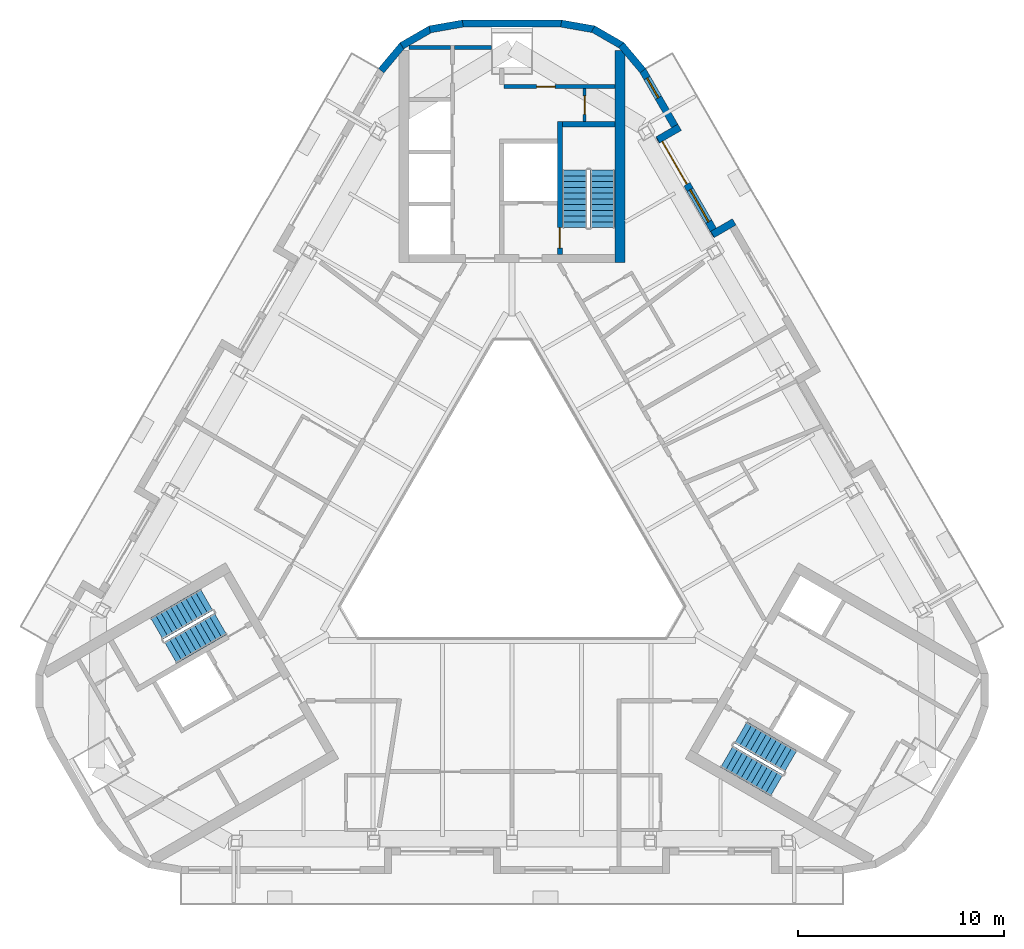
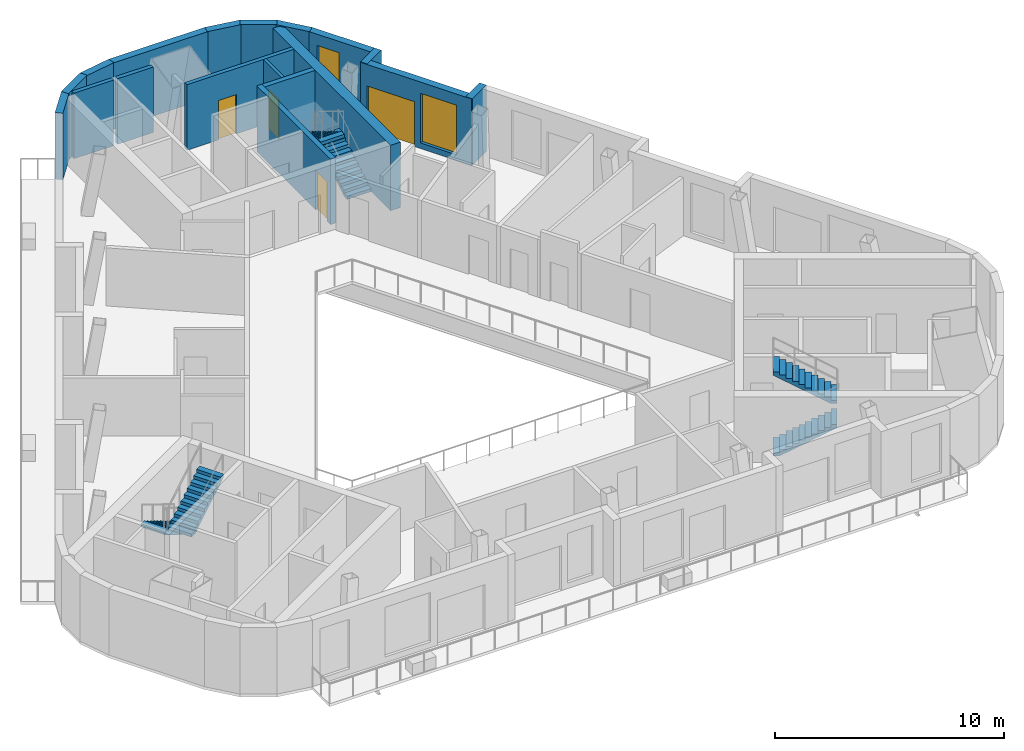
# One storey, part 7 of 11: 18 walls, 6 stair flights, 4 doors, 2 windows, 6 openings, 3 elements without a shape of their own.
"""IFC4 building model written with IfcOpenShell, lengths in metres."""

import ifcopenshell
import ifcopenshell.guid

model = None  # the IFC model being written
_history = None  # IfcOwnerHistory: only IFC2X3 demands one
_inside = {}  # id of a spatial element -> (the spatial element, [elements in it])
_under = {}  # id of a project, library or spatial element -> (it, [spatial elements below it])
_declared = {}  # id of a project -> (the project, [libraries it declares])
_typed = {}  # id of a type object -> (the type object, [elements of that type])
_made_of = {}  # id of a material, layer set ... -> (it, [elements and type objects made of it])


def new_model(schema):
    """Start an empty IFC model of exactly this schema.

    Asked for "IFC4X3", IfcOpenShell would pick the latest addendum, in which some entities
    have other attributes; the version numbers below select the first issue.
    IFC2X3 requires an IfcOwnerHistory on every rooted entity: one is made here for all.
    """
    global model, _history
    if schema == "IFC4X3":
        model = ifcopenshell.file(schema_version=(4, 3, 0, 0))
    else:
        model = ifcopenshell.file(schema=schema)
    _inside.clear()
    _under.clear()
    _declared.clear()
    _typed.clear()
    _made_of.clear()
    _history = None
    if model.schema == "IFC2X3":
        org = make("IfcOrganization", Name="unknown")
        user = make(
            "IfcPersonAndOrganization",
            ThePerson=make("IfcPerson", FamilyName="unknown"),
            TheOrganization=org,
        )
        app = make(
            "IfcApplication",
            ApplicationDeveloper=org,
            Version="unknown",
            ApplicationFullName="unknown",
            ApplicationIdentifier="unknown",
        )
        _history = make(
            "IfcOwnerHistory",
            OwningUser=user,
            OwningApplication=app,
            ChangeAction="ADDED",
            CreationDate=0,
        )
    return model


def make(cls, **values):
    """One entity of the class cls with the attributes given. An attribute that is None is left unset."""
    return model.create_entity(
        cls, **{name: value for name, value in values.items() if value is not None}
    )


def rooted(cls, **values):
    """An entity with a GlobalId (a new one), such as an element, a storey or a relation."""
    return make(cls, GlobalId=ifcopenshell.guid.new(), OwnerHistory=_history, **values)


def si_unit(unit_type, name, prefix=None):
    """IfcSIUnit, for example si_unit("LENGTHUNIT", "METRE", prefix="MILLI")."""
    return make("IfcSIUnit", UnitType=unit_type, Prefix=prefix, Name=name)


def assignment(units):
    """IfcUnitAssignment: the units of a project."""
    return None if units is None else make("IfcUnitAssignment", Units=units)


def point(xyz):
    """IfcCartesianPoint."""
    return None if xyz is None else make("IfcCartesianPoint", Coordinates=xyz)


def direction(xyz):
    """IfcDirection."""
    return None if xyz is None else make("IfcDirection", DirectionRatios=xyz)


def frame(location, z_axis=None, x_axis=None):
    """IfcAxis2Placement3D, a coordinate frame: its origin and axes. An axis left out is left unset."""
    return make(
        "IfcAxis2Placement3D",
        Location=point(location),
        Axis=direction(z_axis),
        RefDirection=direction(x_axis),
    )


def frame_2d(location, x_axis=None):
    """IfcAxis2Placement2D, a coordinate frame in the plane: its origin and x axis."""
    return make(
        "IfcAxis2Placement2D", Location=point(location), RefDirection=direction(x_axis)
    )


def origin():
    """The frame at (0, 0, 0) with its axes left unset."""
    return frame((0.0, 0.0, 0.0))


def place(relative_to, where):
    """IfcLocalPlacement: puts the frame where relative to a parent placement (None: the world)."""
    return make(
        "IfcLocalPlacement", PlacementRelTo=relative_to, RelativePlacement=where
    )


def context(
    kind, dimensions, precision=None, world=None, true_north=None, identifier=None
):
    """IfcGeometricRepresentationContext, for example the 3D "Model" context."""
    return make(
        "IfcGeometricRepresentationContext",
        ContextIdentifier=identifier,
        ContextType=kind,
        CoordinateSpaceDimension=dimensions,
        Precision=precision,
        WorldCoordinateSystem=world,
        TrueNorth=true_north,
    )


def subcontext(parent, identifier, kind, view, scale=None):
    """IfcGeometricRepresentationSubContext, for example "Body" below "Model"."""
    return make(
        "IfcGeometricRepresentationSubContext",
        ContextIdentifier=identifier,
        ContextType=kind,
        ParentContext=parent,
        TargetScale=scale,
        TargetView=view,
    )


def project(units=None, contexts=None):
    """IfcProject with its units and contexts."""
    return rooted(
        "IfcProject",
        Name="project",
        RepresentationContexts=contexts,
        UnitsInContext=assignment(units),
    )


def spatial(cls, under=None, at=None, **own):
    """A site, building, storey or space (cls), placed at a placement, below another one or the project."""
    s = rooted(cls, ObjectPlacement=at, **own)
    if under is not None:
        _under.setdefault(under.id(), (under, []))[1].append(s)
    return s


def polyline(points):
    """IfcPolyline through the points."""
    return make("IfcPolyline", Points=[point(p) for p in points])


def profile(cls, at=None, kind="AREA", **sizes):
    """A parametric profile (cls). Its sizes go by their IFC names, for example OverallWidth=200.0."""
    return make(cls, ProfileType=kind, Position=at, **sizes)


def rectangle(**sizes):
    """IfcRectangleProfileDef."""
    return profile("IfcRectangleProfileDef", **sizes)


def outline(outer, holes=None, kind="AREA"):
    """IfcArbitraryClosedProfileDef: a profile drawn as a closed curve; with holes, ...WithVoids."""
    if holes is None:
        return make("IfcArbitraryClosedProfileDef", ProfileType=kind, OuterCurve=outer)
    return make(
        "IfcArbitraryProfileDefWithVoids",
        ProfileType=kind,
        OuterCurve=outer,
        InnerCurves=holes,
    )


def extrude(swept, where, along, depth):
    """IfcExtrudedAreaSolid: the profile swept, set in the frame where, extruded along a direction by depth."""
    return make(
        "IfcExtrudedAreaSolid",
        SweptArea=swept,
        Position=where,
        ExtrudedDirection=direction(along),
        Depth=depth,
    )


def shape(context_of_items, identifier, shape_type, items):
    """IfcShapeRepresentation: the items that make up one representation, for example the "Body"."""
    return make(
        "IfcShapeRepresentation",
        ContextOfItems=context_of_items,
        RepresentationIdentifier=identifier,
        RepresentationType=shape_type,
        Items=items,
    )


def material(Name=None, Category=None):
    """IfcMaterial."""
    return make("IfcMaterial", Name=Name, Category=Category)


def layer(
    of_material, thickness, ventilated=None, Name=None, Category=None, Priority=None
):
    """IfcMaterialLayer: one layer of a wall or slab, of a material (None: an air gap)."""
    return make(
        "IfcMaterialLayer",
        Material=of_material,
        LayerThickness=thickness,
        IsVentilated=ventilated,
        Name=Name,
        Category=Category,
        Priority=Priority,
    )


def layer_set(layers, Name=None):
    """IfcMaterialLayerSet."""
    return make("IfcMaterialLayerSet", MaterialLayers=layers, LayerSetName=Name)


def made_of(thing, what):
    """Note that an element or type object is made of a material, layer set ...; save() writes the relation."""
    if what is not None:
        _made_of.setdefault(what.id(), (what, []))[1].append(thing)
    return thing


def type_object(cls, material=None, **own):
    """A type object (cls), such as IfcWallType, which elements share."""
    return made_of(rooted(cls, **own), material)


def element(
    cls,
    number,
    at=None,
    inside=None,
    cuts=None,
    type_object=None,
    material=None,
    context=None,
    identifier="Body",
    shape_type=None,
    held_by="IfcProductDefinitionShape",
    body=None,
    shapes=None,
    **own,
):
    """One element of the class cls, such as IfcWall. Its Tag is "e" and its number.

    at: its placement. inside: the storey or other place that contains it. cuts: it is an
    opening in that element (IfcRelVoidsElement). A single representation is given by context,
    identifier, shape_type and body (its items); several are given by shapes. held_by: the class
    of the entity that holds the representations. save() writes the other relations.
    """
    e = rooted(cls, Tag="e%d" % number, ObjectPlacement=at, **own)
    if body is not None:
        shapes = [shape(context, identifier, shape_type, body)]
    if shapes is not None:
        e.Representation = make(held_by, Representations=shapes)
    if inside is not None:
        _inside.setdefault(inside.id(), (inside, []))[1].append(e)
    if cuts is not None:
        rooted(
            "IfcRelVoidsElement", RelatingBuildingElement=cuts, RelatedOpeningElement=e
        )
    if type_object is not None:
        _typed.setdefault(type_object.id(), (type_object, []))[1].append(e)
    return made_of(e, material)


def fill(opening, filler):
    """IfcRelFillsElement: the door or window that sits in an opening."""
    return rooted(
        "IfcRelFillsElement",
        RelatingOpeningElement=opening,
        RelatedBuildingElement=filler,
    )


def aggregate(whole, parts):
    """IfcRelAggregates: a whole, such as a stair, and the parts it consists of."""
    return rooted("IfcRelAggregates", RelatingObject=whole, RelatedObjects=parts)


def save(model, path):
    """Write the relations noted so far, then the file.

    IfcRelAggregates (storeys below a building ...), IfcRelContainedInSpatialStructure (elements
    in a storey), IfcRelDefinesByType, IfcRelAssociatesMaterial and IfcRelDeclares: one each for
    every whole, place, type object, material and project.
    """
    for whole, parts in _under.values():
        aggregate(whole, parts)
    for where, things in _inside.values():
        rooted(
            "IfcRelContainedInSpatialStructure",
            RelatedElements=things,
            RelatingStructure=where,
        )
    for kind, things in _typed.values():
        rooted("IfcRelDefinesByType", RelatedObjects=things, RelatingType=kind)
    for what, things in _made_of.values():
        rooted("IfcRelAssociatesMaterial", RelatedObjects=things, RelatingMaterial=what)
    for by, libraries in _declared.values():
        rooted("IfcRelDeclares", RelatingContext=by, RelatedDefinitions=libraries)
    model.write(path)


model = new_model("IFC4")

# Units and contexts
model_context = context("Model", 3, precision=1e-05, world=origin(), true_north=direction((0.0, 1.0)))
body_context = subcontext(model_context, "Body", "Model", "MODEL_VIEW")
ifc_project = project(units=[si_unit("LENGTHUNIT", "METRE"), si_unit("AREAUNIT", "SQUARE_METRE"), si_unit("VOLUMEUNIT", "CUBIC_METRE"), si_unit("PLANEANGLEUNIT", "RADIAN"), si_unit("MASSUNIT", "GRAM", prefix="KILO")], contexts=[model_context])

# Site, building, storey
site_placement = place(None, origin())
site = spatial("IfcSite", under=ifc_project, at=site_placement, CompositionType="ELEMENT")
building_placement = place(site_placement, origin())
building = spatial("IfcBuilding", under=site, at=building_placement, Name="Apuvela Tower Hotel", CompositionType="ELEMENT")
storey_placement = place(building_placement, frame((0.0, 0.0, 309.60009765625)))
storey = spatial("IfcBuildingStorey", under=building, at=storey_placement, Name="L77", CompositionType="ELEMENT", Elevation=309.60009765625)

# Wall
ifc_material_1 = material(Name="Concrete C50/60", Category="concrete")
ifc_layer_1 = layer(ifc_material_1, 0.5)
ifc_layer_set_1 = layer_set([ifc_layer_1], Name="COR-WALL-CORE-500")
wall_type_1 = type_object("IfcWallType", Name="COR-WALL-CORE-500", PredefinedType="SHEAR", material=ifc_layer_set_1)
wall_1_placement = place(storey_placement, frame((5.25, 12.89990234375, 0.0), z_axis=(0.0, 0.0, 1.0), x_axis=(0.0, 1.0, 0.0)))
element("IfcWall", 1, at=wall_1_placement, inside=storey, type_object=wall_type_1, Name="Core wall N", PredefinedType="SHEAR", context=body_context, shape_type="SweptSolid", body=[
    extrude(rectangle(XDim=10.298583984375, YDim=0.5, at=frame_2d((5.1494140625, 0.0))), origin(), (0.0, 0.0, 1.0), 3.5),
])

# Wall, opening, door
ifc_material_2 = material(Name="Blockwork 150 mm plastered", Category="masonry")
ifc_layer_2 = layer(ifc_material_2, 0.14990234375)
ifc_layer_set_2 = layer_set([ifc_layer_2], Name="COR-WALL-PART-150")
wall_type_2 = type_object("IfcWallType", Name="COR-WALL-PART-150", PredefinedType="PARTITIONING", material=ifc_layer_set_2)
wall_2_placement = place(storey_placement, frame((3.52490234375, 19.75, 0.0), z_axis=(0.0, 0.0, 1.0), x_axis=(0.0, 1.0, 0.0)))
wall_2 = element("IfcWall", 2, at=wall_2_placement, inside=storey, type_object=wall_type_2, Name="Partition N", PredefinedType="PARTITIONING", context=body_context, shape_type="SweptSolid", body=[
    extrude(rectangle(XDim=1.60009765625, YDim=0.14990234375, at=frame_2d((0.800048828125, 0.0))), origin(), (0.0, 0.0, 1.0), 3.5),
])
opening_1_placement = place(wall_2_placement, frame((0.35009765625, 0.0, 0.0)))
opening_1 = element("IfcOpeningElement", 3, at=opening_1_placement, cuts=wall_2, Name="Opening N-RD", PredefinedType="OPENING", context=body_context, shape_type="SweptSolid", body=[
    extrude(rectangle(XDim=0.89990234375, YDim=2.10009765625, at=frame_2d((0.449951171875, 1.050048828125))), frame((0.0, 0.0849609375, 0.0), z_axis=(0.0, -1.0, 0.0), x_axis=(1.0, 0.0, 0.0)), (0.0, 0.0, 1.0), 0.169921875),
])
ifc_material_3 = material(Name="Steel access door, powder coated", Category="steel")
door_type_1 = type_object("IfcDoorType", Name="COR-RD-900", OperationType="NOTDEFINED", PredefinedType="DOOR", material=ifc_material_3)
door_1_placement = place(opening_1_placement, frame((0.89990234375, 0.0, 0.0), z_axis=(0.0, 0.0, 1.0), x_axis=(-1.0, 0.0, 0.0)))
door_1 = element("IfcDoor", 4, at=door_1_placement, inside=storey, type_object=door_type_1, Name="Riser door N-RD", OperationType="SINGLE_SWING_RIGHT", OverallHeight=2.10009765625, OverallWidth=0.89990234375, PredefinedType="DOOR", context=body_context, shape_type="SweptSolid", body=[
    extrude(rectangle(XDim=0.89990234375, YDim=2.10009765625, at=frame_2d((0.449951171875, 1.050048828125))), frame((0.0, 0.02490234375, 0.0), z_axis=(0.0, -1.0, 0.0), x_axis=(1.0, 0.0, 0.0)), (0.0, 0.0, 1.0), 0.050048828125),
])
fill(opening_1, door_1)

ifc_material_4 = material(Name="Blockwork 200 mm plastered", Category="masonry")
ifc_layer_3 = layer(ifc_material_4, 0.199951171875)
ifc_layer_set_3 = layer_set([ifc_layer_3], Name="COR-WALL-PART-200")
wall_type_3 = type_object("IfcWallType", Name="COR-WALL-PART-200", PredefinedType="PARTITIONING", material=ifc_layer_set_3)
wall_3_placement = place(storey_placement, frame((5.0, 21.449951171875, 0.0), z_axis=(0.0, 0.0, 1.0), x_axis=(-1.0, 0.0, 0.0)))
wall_3 = element("IfcWall", 5, at=wall_3_placement, inside=storey, type_object=wall_type_3, Name="Partition N", PredefinedType="PARTITIONING", context=body_context, shape_type="SweptSolid", body=[
    extrude(rectangle(XDim=5.39990234375, YDim=0.199951171875, at=frame_2d((2.699951171875, 0.0))), origin(), (0.0, 0.0, 1.0), 3.5),
])
opening_2_placement = place(wall_3_placement, frame((2.89990234375, 0.0, 0.0)))
opening_2 = element("IfcOpeningElement", 6, at=opening_2_placement, cuts=wall_3, Name="Opening N-RS1", PredefinedType="OPENING", context=body_context, shape_type="SweptSolid", body=[
    extrude(rectangle(XDim=0.89990234375, YDim=2.10009765625, at=frame_2d((0.449951171875, 1.050048828125))), frame((0.0, 0.10986328125, 0.0), z_axis=(0.0, -1.0, 0.0), x_axis=(1.0, 0.0, 0.0)), (0.0, 0.0, 1.0), 0.219970703125),
])
ifc_material_5 = material(Name="Steel fire door, powder coated", Category="steel")
door_type_2 = type_object("IfcDoorType", Name="COR-DR-900", OperationType="NOTDEFINED", PredefinedType="DOOR", material=ifc_material_5)
door_2_placement = place(opening_2_placement, frame((0.89990234375, 0.0, 0.0), z_axis=(0.0, 0.0, 1.0), x_axis=(-1.0, 0.0, 0.0)))
door_2 = element("IfcDoor", 7, at=door_2_placement, inside=storey, type_object=door_type_2, Name="Store door N-RS1", OperationType="SINGLE_SWING_LEFT", OverallHeight=2.10009765625, OverallWidth=0.89990234375, PredefinedType="DOOR", context=body_context, shape_type="SweptSolid", body=[
    extrude(rectangle(XDim=0.89990234375, YDim=2.10009765625, at=frame_2d((0.449951171875, 1.050048828125))), frame((0.0, 0.02490234375, 0.0), z_axis=(0.0, -1.0, 0.0), x_axis=(1.0, 0.0, 0.0)), (0.0, 0.0, 1.0), 0.050048828125),
])
fill(opening_2, door_2)

# Walls
ifc_layer_4 = layer(ifc_material_1, 0.199951171875)
ifc_layer_set_4 = layer_set([ifc_layer_4], Name="COR-WALL-SHAFT-200")
wall_type_4 = type_object("IfcWallType", Name="COR-WALL-SHAFT-200", PredefinedType="SHEAR", material=ifc_layer_set_4)
wall_4_placement = place(storey_placement, frame((-1.0, 23.360107421875, 0.0), z_axis=(0.0, 0.0, 1.0), x_axis=(-1.0, 0.0, 0.0)))
element("IfcWall", 8, at=wall_4_placement, inside=storey, type_object=wall_type_4, Name="Shaft wall N", PredefinedType="SHEAR", context=body_context, shape_type="SweptSolid", body=[
    extrude(rectangle(XDim=1.800048828125, YDim=0.199951171875, at=frame_2d((0.89990234375, 0.0))), origin(), (0.0, 0.0, 1.0), 3.5),
])
wall_5_placement = place(storey_placement, frame((-3.0, 23.360107421875, 0.0), z_axis=(0.0, 0.0, 1.0), x_axis=(-1.0, 0.0, 0.0)))
element("IfcWall", 9, at=wall_5_placement, inside=storey, type_object=wall_type_4, Name="Shaft wall N", PredefinedType="SHEAR", context=body_context, shape_type="SweptSolid", body=[
    extrude(rectangle(XDim=2.0, YDim=0.199951171875, at=frame_2d((1.0, 0.0))), origin(), (0.0, 0.0, 1.0), 3.5),
])

# Wall, opening, door
ifc_layer_5 = layer(ifc_material_1, 0.25)
ifc_layer_set_5 = layer_set([ifc_layer_5], Name="COR-WALL-STAIR-250")
wall_type_5 = type_object("IfcWallType", Name="COR-WALL-STAIR-250", PredefinedType="SHEAR", material=ifc_layer_set_5)
wall_6_placement = place(storey_placement, frame((2.324951171875, 13.300048828125, 0.0), z_axis=(0.0, 0.0, 1.0), x_axis=(0.0, 1.0, 0.0)))
wall_6 = element("IfcWall", 10, at=wall_6_placement, inside=storey, type_object=wall_type_5, Name="Stair wall N", PredefinedType="SHEAR", context=body_context, shape_type="SweptSolid", body=[
    extrude(rectangle(XDim=6.449951171875, YDim=0.25, at=frame_2d((3.22509765625, 0.0))), origin(), (0.0, 0.0, 1.0), 3.5),
])
opening_3_placement = place(wall_6_placement, frame((0.300048828125, 0.0, 0.0)))
opening_3 = element("IfcOpeningElement", 11, at=opening_3_placement, cuts=wall_6, Name="Opening N-SD", PredefinedType="OPENING", context=body_context, shape_type="SweptSolid", body=[
    extrude(rectangle(XDim=1.0, YDim=2.10009765625, at=frame_2d((0.5, 1.050048828125))), frame((0.0, 0.135009765625, 0.0), z_axis=(0.0, -1.0, 0.0), x_axis=(1.0, 0.0, 0.0)), (0.0, 0.0, 1.0), 0.27001953125),
])
door_type_3 = type_object("IfcDoorType", Name="COR-SD-1000", OperationType="NOTDEFINED", PredefinedType="DOOR", material=ifc_material_5)
door_3_placement = place(opening_3_placement, frame((1.0, 0.0, 0.0), z_axis=(0.0, 0.0, 1.0), x_axis=(-1.0, 0.0, 0.0)))
door_3 = element("IfcDoor", 12, at=door_3_placement, inside=storey, type_object=door_type_3, Name="Stair door N-SD", OperationType="SINGLE_SWING_LEFT", OverallHeight=2.10009765625, OverallWidth=1.0, PredefinedType="DOOR", context=body_context, shape_type="SweptSolid", body=[
    extrude(rectangle(XDim=1.0, YDim=2.10009765625, at=frame_2d((0.5, 1.050048828125))), frame((0.0, 0.02490234375, 0.0), z_axis=(0.0, -1.0, 0.0), x_axis=(1.0, 0.0, 0.0)), (0.0, 0.0, 1.0), 0.050048828125),
])
fill(opening_3, door_3)

# Walls
wall_7_placement = place(storey_placement, frame((5.0, 19.625, 0.0), z_axis=(0.0, 0.0, 1.0), x_axis=(-1.0, 0.0, 0.0)))
element("IfcWall", 13, at=wall_7_placement, inside=storey, type_object=wall_type_5, Name="Stair wall N", PredefinedType="SHEAR", context=body_context, shape_type="SweptSolid", body=[
    extrude(rectangle(XDim=2.550048828125, YDim=0.25, at=frame_2d((1.27490234375, 0.0))), origin(), (0.0, 0.0, 1.0), 3.5),
])
ifc_material_6 = material(Name="Concrete C40/50, dark pigmented precast panel", Category="concrete")
ifc_layer_6 = layer(ifc_material_6, 0.35009765625)
ifc_layer_set_6 = layer_set([ifc_layer_6], Name="ENV-WALL-350")
wall_type_6 = type_object("IfcWallType", Name="ENV-WALL-350", PredefinedType="SOLIDWALL", material=ifc_layer_set_6)
wall_8_placement = place(storey_placement, frame((10.802490234375, 14.878662109375, 0.0), z_axis=(0.0, 0.0, 1.0), x_axis=(-0.866005645448, -0.500034220881, 0.0)))
element("IfcWall", 14, at=wall_8_placement, inside=storey, type_object=wall_type_6, Name="External wall L77-38", PredefinedType="SOLIDWALL", context=body_context, shape_type="SweptSolid", body=[
    extrude(rectangle(XDim=1.22021484375, YDim=0.35009765625, at=frame_2d((0.610107421875, 0.0))), origin(), (0.0, 0.0, 1.0), 3.5498046875),
])

# Wall, openings, door, window
wall_9_placement = place(storey_placement, frame((9.944091796875, 14.215576171875, 0.0), z_axis=(0.0, 0.0, 1.0), x_axis=(-0.500026936782, 0.866009851268, 0.0)))
wall_9 = element("IfcWall", 15, at=wall_9_placement, inside=storey, type_object=wall_type_6, Name="External wall L77-39", PredefinedType="SOLIDWALL", context=body_context, shape_type="SweptSolid", body=[
    extrude(rectangle(XDim=5.598876953125, YDim=0.35009765625, at=frame_2d((2.79931640625, 0.0))), origin(), (0.0, 0.0, 1.0), 3.5498046875),
])
opening_4_placement = place(wall_9_placement, frame((2.878662109375, 0.0, 0.0)))
opening_4 = element("IfcOpeningElement", 16, at=opening_4_placement, cuts=wall_9, Name="Opening BD24", PredefinedType="OPENING", context=body_context, shape_type="SweptSolid", body=[
    extrude(rectangle(XDim=2.39990234375, YDim=2.39990234375, at=frame_2d((1.199951171875, 1.199951171875))), frame((0.0, 0.18505859375, 0.0), z_axis=(0.0, -1.0, 0.0), x_axis=(1.0, 0.0, 0.0)), (0.0, 0.0, 1.0), 0.3701171875),
])
opening_5_placement = place(wall_9_placement, frame((0.77001953125, 0.0, 0.300048828125)))
opening_5 = element("IfcOpeningElement", 17, at=opening_5_placement, cuts=wall_9, Name="Opening WN18", PredefinedType="OPENING", context=body_context, shape_type="SweptSolid", body=[
    extrude(rectangle(XDim=1.800048828125, YDim=2.64990234375, at=frame_2d((0.89990234375, 1.324951171875))), frame((0.0, 0.18505859375, 0.0), z_axis=(0.0, -1.0, 0.0), x_axis=(1.0, 0.0, 0.0)), (0.0, 0.0, 1.0), 0.3701171875),
])
ifc_material_7 = material(Name="Aluminium 6063-T6, dark bronze anodised frame with dark tinted laminated glass", Category="aluminium")
door_type_4 = type_object("IfcDoorType", Name="ENV-DOOR-BALCONY-2400x2400", OperationType="SLIDING_TO_LEFT", PredefinedType="DOOR", material=ifc_material_7)
door_4_placement = place(opening_4_placement, frame((2.39990234375, 0.0, 0.0), z_axis=(0.0, 0.0, 1.0), x_axis=(-1.0, 0.0, 0.0)))
door_4 = element("IfcDoor", 18, at=door_4_placement, inside=storey, type_object=door_type_4, Name="Balcony door BD24", OperationType="SLIDING_TO_LEFT", OverallHeight=2.39990234375, OverallWidth=2.39990234375, PredefinedType="DOOR", context=body_context, shape_type="SweptSolid", body=[
    extrude(rectangle(XDim=2.39990234375, YDim=2.39990234375, at=frame_2d((1.199951171875, 1.199951171875))), frame((0.0, 0.02490234375, 0.0), z_axis=(0.0, -1.0, 0.0), x_axis=(1.0, 0.0, 0.0)), (0.0, 0.0, 1.0), 0.050048828125),
])
fill(opening_4, door_4)
ifc_material_8 = material(Name="Glass, dark tinted laminated insulated glazing unit", Category="glass")
window_type_1 = type_object("IfcWindowType", Name="ENV-WIN-1800x2650", PartitioningType="SINGLE_PANEL", PredefinedType="WINDOW", material=ifc_material_8)
window_1_placement = place(opening_5_placement, origin())
window_1 = element("IfcWindow", 19, at=window_1_placement, inside=storey, type_object=window_type_1, Name="Window WN18", OverallHeight=2.64990234375, OverallWidth=1.800048828125, PartitioningType="SINGLE_PANEL", PredefinedType="WINDOW", context=body_context, shape_type="SweptSolid", body=[
    extrude(rectangle(XDim=1.800048828125, YDim=2.64990234375, at=frame_2d((0.89990234375, 1.324951171875))), frame((0.0, 0.030029296875, 0.0), z_axis=(0.0, -1.0, 0.0), x_axis=(1.0, 0.0, 0.0)), (0.0, 0.0, 1.0), 0.06005859375),
])
fill(opening_5, window_1)

# Wall
wall_10_placement = place(storey_placement, frame((7.091552734375, 18.8662109375, 0.0), z_axis=(0.0, 0.0, 1.0), x_axis=(0.866005645448, 0.500034220881, 0.0)))
element("IfcWall", 20, at=wall_10_placement, inside=storey, type_object=wall_type_6, Name="External wall L77-40", PredefinedType="SOLIDWALL", context=body_context, shape_type="SweptSolid", body=[
    extrude(rectangle(XDim=1.22021484375, YDim=0.35009765625, at=frame_2d((0.610107421875, 0.0))), origin(), (0.0, 0.0, 1.0), 3.5498046875),
])

# Wall, opening, window
wall_11_placement = place(storey_placement, frame((8.083984375, 19.237060546875, 0.0), z_axis=(0.0, 0.0, 1.0), x_axis=(-0.499949154193, 0.866054757635, 0.0)))
wall_11 = element("IfcWall", 21, at=wall_11_placement, inside=storey, type_object=wall_type_6, Name="External wall L77-41", PredefinedType="SOLIDWALL", context=body_context, shape_type="SweptSolid", body=[
    extrude(rectangle(XDim=3.480224609375, YDim=0.35009765625, at=frame_2d((1.740234375, 0.0))), origin(), (0.0, 0.0, 1.0), 3.5498046875),
])
opening_6_placement = place(wall_11_placement, frame((1.935302734375, 0.0, 0.300048828125)))
opening_6 = element("IfcOpeningElement", 22, at=opening_6_placement, cuts=wall_11, Name="Opening WN11", PredefinedType="OPENING", context=body_context, shape_type="SweptSolid", body=[
    extrude(rectangle(XDim=1.10009765625, YDim=2.64990234375, at=frame_2d((0.550048828125, 1.324951171875))), frame((0.0, 0.18505859375, 0.0), z_axis=(0.0, -1.0, 0.0), x_axis=(1.0, 0.0, 0.0)), (0.0, 0.0, 1.0), 0.3701171875),
])
window_type_2 = type_object("IfcWindowType", Name="ENV-WIN-1100x2650", PartitioningType="SINGLE_PANEL", PredefinedType="WINDOW", material=ifc_material_8)
window_2_placement = place(opening_6_placement, origin())
window_2 = element("IfcWindow", 23, at=window_2_placement, inside=storey, type_object=window_type_2, Name="Window WN11", OverallHeight=2.64990234375, OverallWidth=1.10009765625, PartitioningType="SINGLE_PANEL", PredefinedType="WINDOW", context=body_context, shape_type="SweptSolid", body=[
    extrude(rectangle(XDim=1.10009765625, YDim=2.64990234375, at=frame_2d((0.550048828125, 1.324951171875))), frame((0.0, 0.030029296875, 0.0), z_axis=(0.0, -1.0, 0.0), x_axis=(1.0, 0.0, 0.0)), (0.0, 0.0, 1.0), 0.06005859375),
])
fill(opening_6, window_2)

# Walls
wall_12_placement = place(storey_placement, frame((6.361328125, 22.22607421875, 0.0), z_axis=(0.0, 0.0, 1.0), x_axis=(-0.642782014883, 0.766049137682, 0.0)))
element("IfcWall", 24, at=wall_12_placement, inside=storey, type_object=wall_type_6, Name="External wall L77-42", PredefinedType="SOLIDWALL", context=body_context, shape_type="SweptSolid", body=[
    extrude(rectangle(XDim=1.634033203125, YDim=0.35009765625, at=frame_2d((0.81689453125, 0.0))), origin(), (0.0, 0.0, 1.0), 3.5498046875),
])
wall_13_placement = place(storey_placement, frame((5.357666015625, 23.43896484375, 0.0), z_axis=(0.0, 0.0, 1.0), x_axis=(-0.866018903231, 0.500011259119, 0.0)))
element("IfcWall", 25, at=wall_13_placement, inside=storey, type_object=wall_type_6, Name="External wall L77-43", PredefinedType="SOLIDWALL", context=body_context, shape_type="SweptSolid", body=[
    extrude(rectangle(XDim=1.63427734375, YDim=0.35009765625, at=frame_2d((0.817138671875, 0.0))), origin(), (0.0, 0.0, 1.0), 3.5498046875),
])
wall_14_placement = place(storey_placement, frame((3.99951171875, 24.235107421875, 0.0), z_axis=(0.0, 0.0, 1.0), x_axis=(-0.984795586247, 0.173717164691, 0.0)))
element("IfcWall", 26, at=wall_14_placement, inside=storey, type_object=wall_type_6, Name="External wall L77-44", PredefinedType="SOLIDWALL", context=body_context, shape_type="SweptSolid", body=[
    extrude(rectangle(XDim=1.634521484375, YDim=0.35009765625, at=frame_2d((0.8173828125, 0.0))), origin(), (0.0, 0.0, 1.0), 3.5498046875),
])
wall_15_placement = place(storey_placement, frame((2.42041015625, 24.516357421875, 0.0), z_axis=(0.0, 0.0, 1.0), x_axis=(-1.0, 0.0, 0.0)))
element("IfcWall", 27, at=wall_15_placement, inside=storey, type_object=wall_type_6, Name="External wall L77-45", PredefinedType="SOLIDWALL", context=body_context, shape_type="SweptSolid", body=[
    extrude(rectangle(XDim=4.8408203125, YDim=0.35009765625, at=frame_2d((2.42041015625, 0.0))), origin(), (0.0, 0.0, 1.0), 3.5498046875),
])
wall_16_placement = place(storey_placement, frame((-2.389892578125, 24.51904296875, 0.0), z_axis=(0.0, 0.0, 1.0), x_axis=(-0.984795586247, -0.173717164691, 0.0)))
element("IfcWall", 28, at=wall_16_placement, inside=storey, type_object=wall_type_6, Name="External wall L77-46", PredefinedType="SOLIDWALL", context=body_context, shape_type="SweptSolid", body=[
    extrude(rectangle(XDim=1.634521484375, YDim=0.35009765625, at=frame_2d((0.8173828125, 0.0))), origin(), (0.0, 0.0, 1.0), 3.5498046875),
])
wall_17_placement = place(storey_placement, frame((-3.9423828125, 24.256103515625, 0.0), z_axis=(0.0, 0.0, 1.0), x_axis=(-0.866018903231, -0.500011259119, 0.0)))
element("IfcWall", 29, at=wall_17_placement, inside=storey, type_object=wall_type_6, Name="External wall L77-47", PredefinedType="SOLIDWALL", context=body_context, shape_type="SweptSolid", body=[
    extrude(rectangle(XDim=1.63427734375, YDim=0.35009765625, at=frame_2d((0.817138671875, 0.0))), origin(), (0.0, 0.0, 1.0), 3.5498046875),
])
wall_18_placement = place(storey_placement, frame((-5.31103515625, 23.477783203125, 0.0), z_axis=(0.0, 0.0, 1.0), x_axis=(-0.642782014883, -0.766049137682, 0.0)))
element("IfcWall", 30, at=wall_18_placement, inside=storey, type_object=wall_type_6, Name="External wall L77-48", PredefinedType="SOLIDWALL", context=body_context, shape_type="SweptSolid", body=[
    extrude(rectangle(XDim=1.634033203125, YDim=0.35009765625, at=frame_2d((0.81689453125, 0.0))), origin(), (0.0, 0.0, 1.0), 3.5498046875),
])

# Stair, stair flights
stair_type = type_object("IfcStairType", Name="COR-STAIR-22R", PredefinedType="HALF_TURN_STAIR", material=ifc_material_1)
stair_1_placement = place(storey_placement, origin())
stair_1 = element("IfcStair", 31, at=stair_1_placement, inside=storey, type_object=stair_type, Name="L77 Exit stair ST1", PredefinedType="HALF_TURN_STAIR")
stair_flight_type = type_object("IfcStairFlightType", Name="COR-FLIGHT-11R", PredefinedType="STRAIGHT", material=ifc_material_1)
stair_flight_1_placement = place(storey_placement, frame((4.39990234375, 14.60009765625, 0.0), z_axis=(0.0, 0.0, 1.0), x_axis=(0.0, 1.0, 0.0)))
stair_flight_1 = element("IfcStairFlight", 32, at=stair_flight_1_placement, type_object=stair_flight_type, Name="ST1 flight 1", NumberOfRisers=11, NumberOfTreads=10, PredefinedType="STRAIGHT", RiserHeight=0.168181818, TreadLength=0.28, context=body_context, shape_type="SweptSolid", body=[
    extrude(outline(polyline([(0.0, 0.0), (0.0, 0.168212890625), (0.280029296875, 0.168212890625), (0.280029296875, 0.33642578125), (0.56005859375, 0.33642578125), (0.56005859375, 0.504638671875), (0.840087890625, 0.504638671875), (0.840087890625, 0.672607421875), (1.1201171875, 0.672607421875), (1.1201171875, 0.8408203125), (1.39990234375, 0.8408203125), (1.39990234375, 1.009033203125), (1.679931640625, 1.009033203125), (1.679931640625, 1.17724609375), (1.9599609375, 1.17724609375), (1.9599609375, 1.345458984375), (2.239990234375, 1.345458984375), (2.239990234375, 1.513671875), (2.52001953125, 1.513671875), (2.52001953125, 1.681884765625), (2.800048828125, 1.681884765625), (2.800048828125, 1.85009765625), (2.800048828125, 1.5068359375), (0.291015625, 0.0), (0.0, 0.0)])), frame((0.0, 0.60009765625, 0.0), z_axis=(0.0, -1.0, 0.0), x_axis=(1.0, 0.0, 0.0)), (0.0, 0.0, 1.0), 1.199951171875),
])
stair_flight_2_placement = place(storey_placement, frame((3.050048828125, 17.39990234375, 1.849853515625), z_axis=(0.0, 0.0, 1.0), x_axis=(0.0, -1.0, 0.0)))
stair_flight_2 = element("IfcStairFlight", 33, at=stair_flight_2_placement, type_object=stair_flight_type, Name="ST1 flight 2", NumberOfRisers=11, NumberOfTreads=10, PredefinedType="STRAIGHT", RiserHeight=0.168181818, TreadLength=0.28, context=body_context, shape_type="SweptSolid", body=[
    extrude(outline(polyline([(0.0, 0.0), (0.0, 0.168212890625), (0.280029296875, 0.168212890625), (0.280029296875, 0.33642578125), (0.56005859375, 0.33642578125), (0.56005859375, 0.504638671875), (0.840087890625, 0.504638671875), (0.840087890625, 0.672607421875), (1.1201171875, 0.672607421875), (1.1201171875, 0.8408203125), (1.39990234375, 0.8408203125), (1.39990234375, 1.009033203125), (1.679931640625, 1.009033203125), (1.679931640625, 1.17724609375), (1.9599609375, 1.17724609375), (1.9599609375, 1.345458984375), (2.239990234375, 1.345458984375), (2.239990234375, 1.513671875), (2.52001953125, 1.513671875), (2.52001953125, 1.681884765625), (2.800048828125, 1.681884765625), (2.800048828125, 1.85009765625), (2.800048828125, 1.5068359375), (0.291015625, 0.0), (0.0, 0.0)])), frame((0.0, 0.60009765625, 0.0), z_axis=(0.0, -1.0, 0.0), x_axis=(1.0, 0.0, 0.0)), (0.0, 0.0, 1.0), 1.199951171875),
])
aggregate(stair_1, [stair_flight_1, stair_flight_2])

stair_2_placement = place(storey_placement, origin())
stair_2 = element("IfcStair", 34, at=stair_2_placement, inside=storey, type_object=stair_type, Name="L77 Exit stair ST2", PredefinedType="HALF_TURN_STAIR")
stair_flight_3_placement = place(storey_placement, frame((-14.843994140625, -3.489501953125, 0.0), z_axis=(0.0, 0.0, 1.0), x_axis=(-0.866025403784, -0.5, 0.0)))
stair_flight_3 = element("IfcStairFlight", 35, at=stair_flight_3_placement, type_object=stair_flight_type, Name="ST2 flight 1", NumberOfRisers=11, NumberOfTreads=10, PredefinedType="STRAIGHT", RiserHeight=0.168181818, TreadLength=0.28, context=body_context, shape_type="SweptSolid", body=[
    extrude(outline(polyline([(0.0, 0.0), (0.0, 0.168212890625), (0.280029296875, 0.168212890625), (0.280029296875, 0.33642578125), (0.56005859375, 0.33642578125), (0.56005859375, 0.504638671875), (0.840087890625, 0.504638671875), (0.840087890625, 0.672607421875), (1.1201171875, 0.672607421875), (1.1201171875, 0.8408203125), (1.39990234375, 0.8408203125), (1.39990234375, 1.009033203125), (1.679931640625, 1.009033203125), (1.679931640625, 1.17724609375), (1.9599609375, 1.17724609375), (1.9599609375, 1.345458984375), (2.239990234375, 1.345458984375), (2.239990234375, 1.513671875), (2.52001953125, 1.513671875), (2.52001953125, 1.681884765625), (2.800048828125, 1.681884765625), (2.800048828125, 1.85009765625), (2.800048828125, 1.5068359375), (0.291015625, 0.0), (0.0, 0.0)])), frame((0.0, 0.60009765625, 0.0), z_axis=(0.0, -1.0, 0.0), x_axis=(1.0, 0.0, 0.0)), (0.0, 0.0, 1.0), 1.199951171875),
])
stair_flight_4_placement = place(storey_placement, frame((-16.59375, -6.05859375, 1.849853515625), z_axis=(0.0, 0.0, 1.0), x_axis=(0.866025403784, 0.5, 0.0)))
stair_flight_4 = element("IfcStairFlight", 36, at=stair_flight_4_placement, type_object=stair_flight_type, Name="ST2 flight 2", NumberOfRisers=11, NumberOfTreads=10, PredefinedType="STRAIGHT", RiserHeight=0.168181818, TreadLength=0.28, context=body_context, shape_type="SweptSolid", body=[
    extrude(outline(polyline([(0.0, 0.0), (0.0, 0.168212890625), (0.280029296875, 0.168212890625), (0.280029296875, 0.33642578125), (0.56005859375, 0.33642578125), (0.56005859375, 0.504638671875), (0.840087890625, 0.504638671875), (0.840087890625, 0.672607421875), (1.1201171875, 0.672607421875), (1.1201171875, 0.8408203125), (1.39990234375, 0.8408203125), (1.39990234375, 1.009033203125), (1.679931640625, 1.009033203125), (1.679931640625, 1.17724609375), (1.9599609375, 1.17724609375), (1.9599609375, 1.345458984375), (2.239990234375, 1.345458984375), (2.239990234375, 1.513671875), (2.52001953125, 1.513671875), (2.52001953125, 1.681884765625), (2.800048828125, 1.681884765625), (2.800048828125, 1.85009765625), (2.800048828125, 1.5068359375), (0.291015625, 0.0), (0.0, 0.0)])), frame((0.0, 0.60009765625, 0.0), z_axis=(0.0, -1.0, 0.0), x_axis=(1.0, 0.0, 0.0)), (0.0, 0.0, 1.0), 1.199951171875),
])
aggregate(stair_2, [stair_flight_3, stair_flight_4])

stair_3_placement = place(storey_placement, origin())
stair_3 = element("IfcStair", 37, at=stair_3_placement, inside=storey, type_object=stair_type, Name="L77 Exit stair ST3", PredefinedType="HALF_TURN_STAIR")
stair_flight_5_placement = place(storey_placement, frame((10.444091796875, -11.110595703125, 0.0), z_axis=(0.0, 0.0, 1.0), x_axis=(0.866025403784, -0.5, 0.0)))
stair_flight_5 = element("IfcStairFlight", 38, at=stair_flight_5_placement, type_object=stair_flight_type, Name="ST3 flight 1", NumberOfRisers=11, NumberOfTreads=10, PredefinedType="STRAIGHT", RiserHeight=0.168181818, TreadLength=0.28, context=body_context, shape_type="SweptSolid", body=[
    extrude(outline(polyline([(0.0, 0.0), (0.0, 0.168212890625), (0.280029296875, 0.168212890625), (0.280029296875, 0.33642578125), (0.56005859375, 0.33642578125), (0.56005859375, 0.504638671875), (0.840087890625, 0.504638671875), (0.840087890625, 0.672607421875), (1.1201171875, 0.672607421875), (1.1201171875, 0.8408203125), (1.39990234375, 0.8408203125), (1.39990234375, 1.009033203125), (1.679931640625, 1.009033203125), (1.679931640625, 1.17724609375), (1.9599609375, 1.17724609375), (1.9599609375, 1.345458984375), (2.239990234375, 1.345458984375), (2.239990234375, 1.513671875), (2.52001953125, 1.513671875), (2.52001953125, 1.681884765625), (2.800048828125, 1.681884765625), (2.800048828125, 1.85009765625), (2.800048828125, 1.5068359375), (0.291015625, 0.0), (0.0, 0.0)])), frame((0.0, 0.60009765625, 0.0), z_axis=(0.0, -1.0, 0.0), x_axis=(1.0, 0.0, 0.0)), (0.0, 0.0, 1.0), 1.199951171875),
])
stair_flight_6_placement = place(storey_placement, frame((13.5439453125, -11.34130859375, 1.849853515625), z_axis=(0.0, 0.0, 1.0), x_axis=(-0.866025403784, 0.5, 0.0)))
stair_flight_6 = element("IfcStairFlight", 39, at=stair_flight_6_placement, type_object=stair_flight_type, Name="ST3 flight 2", NumberOfRisers=11, NumberOfTreads=10, PredefinedType="STRAIGHT", RiserHeight=0.168181818, TreadLength=0.28, context=body_context, shape_type="SweptSolid", body=[
    extrude(outline(polyline([(0.0, 0.0), (0.0, 0.168212890625), (0.280029296875, 0.168212890625), (0.280029296875, 0.33642578125), (0.56005859375, 0.33642578125), (0.56005859375, 0.504638671875), (0.840087890625, 0.504638671875), (0.840087890625, 0.672607421875), (1.1201171875, 0.672607421875), (1.1201171875, 0.8408203125), (1.39990234375, 0.8408203125), (1.39990234375, 1.009033203125), (1.679931640625, 1.009033203125), (1.679931640625, 1.17724609375), (1.9599609375, 1.17724609375), (1.9599609375, 1.345458984375), (2.239990234375, 1.345458984375), (2.239990234375, 1.513671875), (2.52001953125, 1.513671875), (2.52001953125, 1.681884765625), (2.800048828125, 1.681884765625), (2.800048828125, 1.85009765625), (2.800048828125, 1.5068359375), (0.291015625, 0.0), (0.0, 0.0)])), frame((0.0, 0.60009765625, 0.0), z_axis=(0.0, -1.0, 0.0), x_axis=(1.0, 0.0, 0.0)), (0.0, 0.0, 1.0), 1.199951171875),
])
aggregate(stair_3, [stair_flight_5, stair_flight_6])

save(model, "model.ifc")
